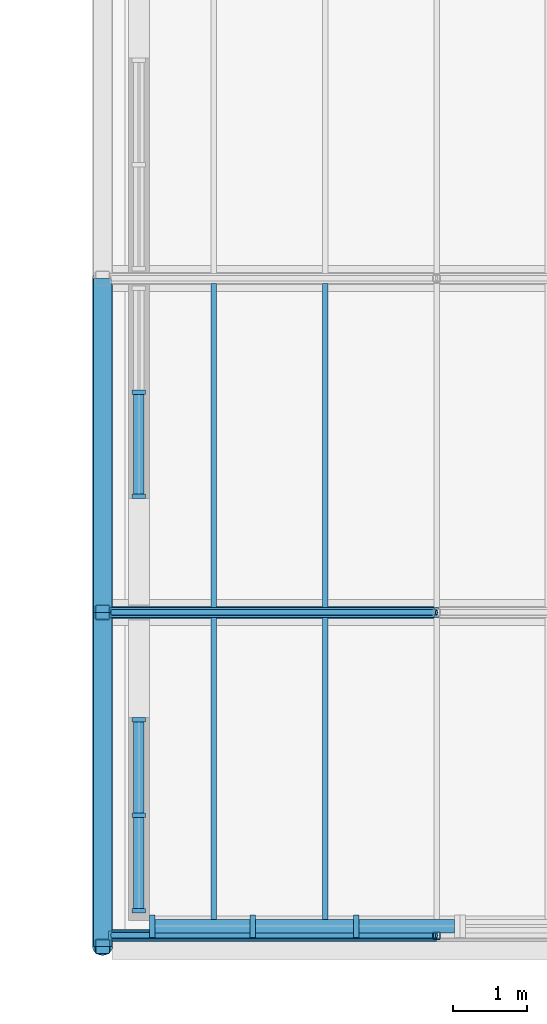
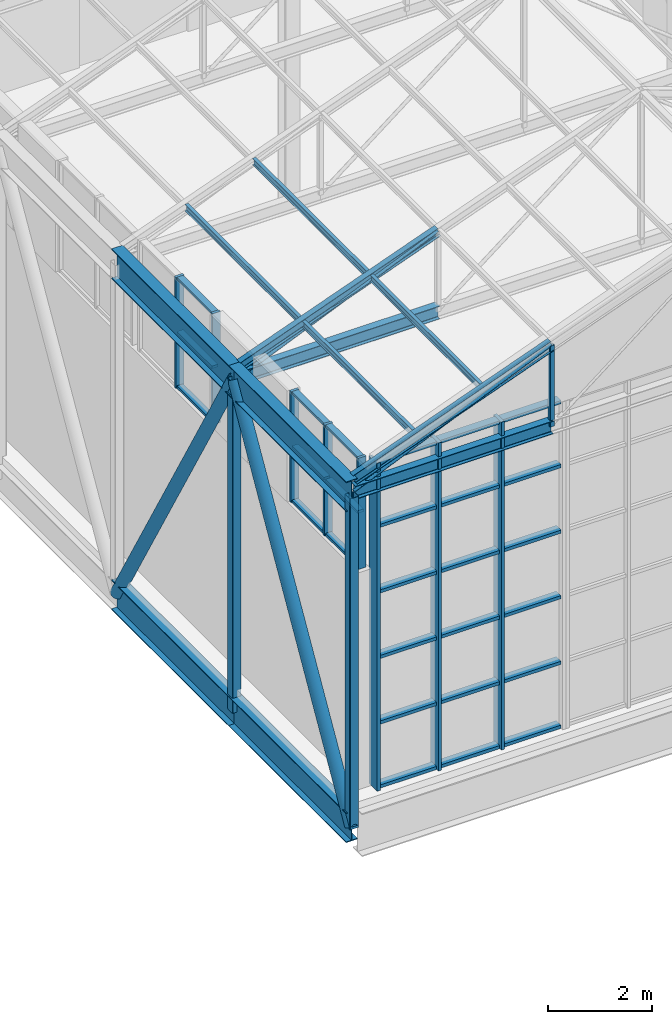
# One storey, part 11 of 90: 54 members, 3 elements without a shape of their own.
"""IFC4 building model written with IfcOpenShell, lengths in metres."""

import ifcopenshell
import ifcopenshell.guid

model = None  # the IFC model being written
_history = None  # IfcOwnerHistory: only IFC2X3 demands one
_inside = {}  # id of a spatial element -> (the spatial element, [elements in it])
_under = {}  # id of a project, library or spatial element -> (it, [spatial elements below it])
_declared = {}  # id of a project -> (the project, [libraries it declares])
_typed = {}  # id of a type object -> (the type object, [elements of that type])
_made_of = {}  # id of a material, layer set ... -> (it, [elements and type objects made of it])


def new_model(schema):
    """Start an empty IFC model of exactly this schema.

    Asked for "IFC4X3", IfcOpenShell would pick the latest addendum, in which some entities
    have other attributes; the version numbers below select the first issue.
    IFC2X3 requires an IfcOwnerHistory on every rooted entity: one is made here for all.
    """
    global model, _history
    if schema == "IFC4X3":
        model = ifcopenshell.file(schema_version=(4, 3, 0, 0))
    else:
        model = ifcopenshell.file(schema=schema)
    _inside.clear()
    _under.clear()
    _declared.clear()
    _typed.clear()
    _made_of.clear()
    _history = None
    if model.schema == "IFC2X3":
        org = make("IfcOrganization", Name="unknown")
        user = make(
            "IfcPersonAndOrganization",
            ThePerson=make("IfcPerson", FamilyName="unknown"),
            TheOrganization=org,
        )
        app = make(
            "IfcApplication",
            ApplicationDeveloper=org,
            Version="unknown",
            ApplicationFullName="unknown",
            ApplicationIdentifier="unknown",
        )
        _history = make(
            "IfcOwnerHistory",
            OwningUser=user,
            OwningApplication=app,
            ChangeAction="ADDED",
            CreationDate=0,
        )
    return model


def make(cls, **values):
    """One entity of the class cls with the attributes given. An attribute that is None is left unset."""
    return model.create_entity(
        cls, **{name: value for name, value in values.items() if value is not None}
    )


def rooted(cls, **values):
    """An entity with a GlobalId (a new one), such as an element, a storey or a relation."""
    return make(cls, GlobalId=ifcopenshell.guid.new(), OwnerHistory=_history, **values)


def si_unit(unit_type, name, prefix=None):
    """IfcSIUnit, for example si_unit("LENGTHUNIT", "METRE", prefix="MILLI")."""
    return make("IfcSIUnit", UnitType=unit_type, Prefix=prefix, Name=name)


def assignment(units):
    """IfcUnitAssignment: the units of a project."""
    return None if units is None else make("IfcUnitAssignment", Units=units)


def point(xyz):
    """IfcCartesianPoint."""
    return None if xyz is None else make("IfcCartesianPoint", Coordinates=xyz)


def direction(xyz):
    """IfcDirection."""
    return None if xyz is None else make("IfcDirection", DirectionRatios=xyz)


def frame(location, z_axis=None, x_axis=None):
    """IfcAxis2Placement3D, a coordinate frame: its origin and axes. An axis left out is left unset."""
    return make(
        "IfcAxis2Placement3D",
        Location=point(location),
        Axis=direction(z_axis),
        RefDirection=direction(x_axis),
    )


def frame_2d(location, x_axis=None):
    """IfcAxis2Placement2D, a coordinate frame in the plane: its origin and x axis."""
    return make(
        "IfcAxis2Placement2D", Location=point(location), RefDirection=direction(x_axis)
    )


def origin():
    """The frame at (0, 0, 0) with its axes left unset."""
    return frame((0.0, 0.0, 0.0))


def origin_2d():
    """The frame at (0, 0) in the plane with its x axis left unset."""
    return frame_2d((0.0, 0.0))


def place(relative_to, where):
    """IfcLocalPlacement: puts the frame where relative to a parent placement (None: the world)."""
    return make(
        "IfcLocalPlacement", PlacementRelTo=relative_to, RelativePlacement=where
    )


def context(
    kind, dimensions, precision=None, world=None, true_north=None, identifier=None
):
    """IfcGeometricRepresentationContext, for example the 3D "Model" context."""
    return make(
        "IfcGeometricRepresentationContext",
        ContextIdentifier=identifier,
        ContextType=kind,
        CoordinateSpaceDimension=dimensions,
        Precision=precision,
        WorldCoordinateSystem=world,
        TrueNorth=true_north,
    )


def subcontext(parent, identifier, kind, view, scale=None):
    """IfcGeometricRepresentationSubContext, for example "Body" below "Model"."""
    return make(
        "IfcGeometricRepresentationSubContext",
        ContextIdentifier=identifier,
        ContextType=kind,
        ParentContext=parent,
        TargetScale=scale,
        TargetView=view,
    )


def project(units=None, contexts=None):
    """IfcProject with its units and contexts."""
    return rooted(
        "IfcProject",
        Name="project",
        RepresentationContexts=contexts,
        UnitsInContext=assignment(units),
    )


def spatial(cls, under=None, at=None, **own):
    """A site, building, storey or space (cls), placed at a placement, below another one or the project."""
    s = rooted(cls, ObjectPlacement=at, **own)
    if under is not None:
        _under.setdefault(under.id(), (under, []))[1].append(s)
    return s


def profile(cls, at=None, kind="AREA", **sizes):
    """A parametric profile (cls). Its sizes go by their IFC names, for example OverallWidth=200.0."""
    return make(cls, ProfileType=kind, Position=at, **sizes)


def rectangle(**sizes):
    """IfcRectangleProfileDef."""
    return profile("IfcRectangleProfileDef", **sizes)


def hollow_rectangle(**sizes):
    """IfcRectangleHollowProfileDef."""
    return profile("IfcRectangleHollowProfileDef", **sizes)


def hollow_circle(**sizes):
    """IfcCircleHollowProfileDef."""
    return profile("IfcCircleHollowProfileDef", **sizes)


def i_section(**sizes):
    """IfcIShapeProfileDef."""
    return profile("IfcIShapeProfileDef", **sizes)


def extrude(swept, where, along, depth):
    """IfcExtrudedAreaSolid: the profile swept, set in the frame where, extruded along a direction by depth."""
    return make(
        "IfcExtrudedAreaSolid",
        SweptArea=swept,
        Position=where,
        ExtrudedDirection=direction(along),
        Depth=depth,
    )


def shape(context_of_items, identifier, shape_type, items):
    """IfcShapeRepresentation: the items that make up one representation, for example the "Body"."""
    return make(
        "IfcShapeRepresentation",
        ContextOfItems=context_of_items,
        RepresentationIdentifier=identifier,
        RepresentationType=shape_type,
        Items=items,
    )


def material(Name=None, Category=None):
    """IfcMaterial."""
    return make("IfcMaterial", Name=Name, Category=Category)


def layer(
    of_material, thickness, ventilated=None, Name=None, Category=None, Priority=None
):
    """IfcMaterialLayer: one layer of a wall or slab, of a material (None: an air gap)."""
    return make(
        "IfcMaterialLayer",
        Material=of_material,
        LayerThickness=thickness,
        IsVentilated=ventilated,
        Name=Name,
        Category=Category,
        Priority=Priority,
    )


def layer_set(layers, Name=None):
    """IfcMaterialLayerSet."""
    return make("IfcMaterialLayerSet", MaterialLayers=layers, LayerSetName=Name)


def material_profile(
    of_material, cross_section, Name=None, Category=None, Priority=None
):
    """IfcMaterialProfile: a cross section and its material."""
    return make(
        "IfcMaterialProfile",
        Name=Name,
        Material=of_material,
        Profile=cross_section,
        Priority=Priority,
        Category=Category,
    )


def profile_set(profiles, Name=None, composite=None):
    """IfcMaterialProfileSet."""
    return make(
        "IfcMaterialProfileSet",
        Name=Name,
        MaterialProfiles=profiles,
        CompositeProfile=composite,
    )


def made_of(thing, what):
    """Note that an element or type object is made of a material, layer set ...; save() writes the relation."""
    if what is not None:
        _made_of.setdefault(what.id(), (what, []))[1].append(thing)
    return thing


def type_object(cls, material=None, **own):
    """A type object (cls), such as IfcWallType, which elements share."""
    return made_of(rooted(cls, **own), material)


def element(
    cls,
    number,
    at=None,
    inside=None,
    cuts=None,
    type_object=None,
    material=None,
    context=None,
    identifier="Body",
    shape_type=None,
    held_by="IfcProductDefinitionShape",
    body=None,
    shapes=None,
    **own,
):
    """One element of the class cls, such as IfcWall. Its Tag is "e" and its number.

    at: its placement. inside: the storey or other place that contains it. cuts: it is an
    opening in that element (IfcRelVoidsElement). A single representation is given by context,
    identifier, shape_type and body (its items); several are given by shapes. held_by: the class
    of the entity that holds the representations. save() writes the other relations.
    """
    e = rooted(cls, Tag="e%d" % number, ObjectPlacement=at, **own)
    if body is not None:
        shapes = [shape(context, identifier, shape_type, body)]
    if shapes is not None:
        e.Representation = make(held_by, Representations=shapes)
    if inside is not None:
        _inside.setdefault(inside.id(), (inside, []))[1].append(e)
    if cuts is not None:
        rooted(
            "IfcRelVoidsElement", RelatingBuildingElement=cuts, RelatedOpeningElement=e
        )
    if type_object is not None:
        _typed.setdefault(type_object.id(), (type_object, []))[1].append(e)
    return made_of(e, material)


def aggregate(whole, parts):
    """IfcRelAggregates: a whole, such as a stair, and the parts it consists of."""
    return rooted("IfcRelAggregates", RelatingObject=whole, RelatedObjects=parts)


def save(model, path):
    """Write the relations noted so far, then the file.

    IfcRelAggregates (storeys below a building ...), IfcRelContainedInSpatialStructure (elements
    in a storey), IfcRelDefinesByType, IfcRelAssociatesMaterial and IfcRelDeclares: one each for
    every whole, place, type object, material and project.
    """
    for whole, parts in _under.values():
        aggregate(whole, parts)
    for where, things in _inside.values():
        rooted(
            "IfcRelContainedInSpatialStructure",
            RelatedElements=things,
            RelatingStructure=where,
        )
    for kind, things in _typed.values():
        rooted("IfcRelDefinesByType", RelatedObjects=things, RelatingType=kind)
    for what, things in _made_of.values():
        rooted("IfcRelAssociatesMaterial", RelatedObjects=things, RelatingMaterial=what)
    for by, libraries in _declared.values():
        rooted("IfcRelDeclares", RelatingContext=by, RelatedDefinitions=libraries)
    model.write(path)


model = new_model("IFC4")

# Units and contexts
model_context = context("Model", 3, precision=1e-05, world=origin(), true_north=direction((0.0, 1.0)))
body_context = subcontext(model_context, "Body", "Model", "MODEL_VIEW")
ifc_project = project(units=[si_unit("LENGTHUNIT", "METRE"), si_unit("AREAUNIT", "SQUARE_METRE"), si_unit("VOLUMEUNIT", "CUBIC_METRE"), si_unit("PLANEANGLEUNIT", "RADIAN"), si_unit("MASSUNIT", "GRAM", prefix="KILO")], contexts=[model_context])

# Site, building, storey
site_placement = place(None, origin())
site = spatial("IfcSite", under=ifc_project, at=site_placement, CompositionType="ELEMENT")
building_placement = place(site_placement, origin())
building = spatial("IfcBuilding", under=site, at=building_placement, Name="Halyard Row Museum", CompositionType="ELEMENT")
storey_placement = place(building_placement, frame((0.0, 0.0, 13.39990234375)))
storey = spatial("IfcBuildingStorey", under=building, at=storey_placement, Name="L03", CompositionType="ELEMENT", Elevation=13.39990234375)

# Curtain wall, members
ifc_material_1 = material(Name="Double glazed unit, low-emissivity", Category="glass")
ifc_layer_1 = layer(ifc_material_1, 0.179931640625)
ifc_layer_set_1 = layer_set([ifc_layer_1], Name="Double glazed unit, low-emissivity")
curtain_wall_type_1 = type_object("IfcCurtainWallType", Name="Curtain wall stick 180 deep", PredefinedType="NOTDEFINED", material=ifc_layer_set_1)
curtain_wall_1_placement = place(storey_placement, origin())
curtain_wall_1 = element("IfcCurtainWall", 1, at=curtain_wall_1_placement, inside=storey, type_object=curtain_wall_type_1, Name="Curtain wall CW067", PredefinedType="NOTDEFINED")
ifc_material_2 = material(Name="Powder-coated aluminium section", Category="aluminium")
ifc_material_profile_1 = material_profile(ifc_material_2, rectangle(XDim=0.179931640625, YDim=0.06005859375, at=origin_2d()), Name="180x60 mullion")
ifc_profile_set_1 = profile_set([ifc_material_profile_1], Name="Powder-coated aluminium section")
member_type_1 = type_object("IfcMemberType", Name="Curtain wall mullion CM2 60 x 180", PredefinedType="MULLION", material=ifc_profile_set_1)
member_1_placement = place(storey_placement, frame((36.489990234375, 0.47998046875, 5.07275390625), z_axis=(0.0, 0.0, 1.0), x_axis=(-1.0, 0.0, 0.0)))
member_1 = element("IfcMember", 2, at=member_1_placement, type_object=member_type_1, Name="CW067 mullion 1", PredefinedType="MULLION", context=body_context, shape_type="SweptSolid", body=[
    extrude(rectangle(XDim=0.179931640625, YDim=0.06005859375, at=origin_2d()), origin(), (0.0, 0.0, 1.0), 2.60009765625),
])
member_2_placement = place(storey_placement, frame((36.489990234375, 1.7666015625, 5.07275390625), z_axis=(0.0, 0.0, 1.0), x_axis=(-1.0, 0.0, 0.0)))
member_2 = element("IfcMember", 3, at=member_2_placement, type_object=member_type_1, Name="CW067 mullion 2", PredefinedType="MULLION", context=body_context, shape_type="SweptSolid", body=[
    extrude(rectangle(XDim=0.179931640625, YDim=0.06005859375, at=origin_2d()), origin(), (0.0, 0.0, 1.0), 2.60009765625),
])
member_3_placement = place(storey_placement, frame((36.489990234375, 3.05322265625, 5.07275390625), z_axis=(0.0, 0.0, 1.0), x_axis=(-1.0, 0.0, 0.0)))
member_3 = element("IfcMember", 4, at=member_3_placement, type_object=member_type_1, Name="CW067 mullion 3", PredefinedType="MULLION", context=body_context, shape_type="SweptSolid", body=[
    extrude(rectangle(XDim=0.179931640625, YDim=0.06005859375, at=origin_2d()), origin(), (0.0, 0.0, 1.0), 2.60009765625),
])

curtain_wall_2_placement = place(storey_placement, origin())
curtain_wall_2 = element("IfcCurtainWall", 5, at=curtain_wall_2_placement, inside=storey, type_object=curtain_wall_type_1, Name="Curtain wall CW068", PredefinedType="NOTDEFINED")
member_4_placement = place(storey_placement, frame((36.489990234375, 6.063232421875, 5.07275390625), z_axis=(0.0, 0.0, 1.0), x_axis=(-1.0, 0.0, 0.0)))
member_4 = element("IfcMember", 6, at=member_4_placement, type_object=member_type_1, Name="CW068 mullion 1", PredefinedType="MULLION", context=body_context, shape_type="SweptSolid", body=[
    extrude(rectangle(XDim=0.179931640625, YDim=0.06005859375, at=origin_2d()), origin(), (0.0, 0.0, 1.0), 2.60009765625),
])
member_5_placement = place(storey_placement, frame((36.489990234375, 7.466552734375, 5.07275390625), z_axis=(0.0, 0.0, 1.0), x_axis=(-1.0, 0.0, 0.0)))
member_5 = element("IfcMember", 7, at=member_5_placement, type_object=member_type_1, Name="CW068 mullion 2", PredefinedType="MULLION", context=body_context, shape_type="SweptSolid", body=[
    extrude(rectangle(XDim=0.179931640625, YDim=0.06005859375, at=origin_2d()), origin(), (0.0, 0.0, 1.0), 2.60009765625),
])

ifc_material_3 = material(Name="Double glazed unit, low-emissivity", Category="glass")
ifc_layer_2 = layer(ifc_material_3, 0.300048828125)
ifc_layer_set_2 = layer_set([ifc_layer_2], Name="Double glazed unit, low-emissivity")
curtain_wall_type_2 = type_object("IfcCurtainWallType", Name="Curtain wall deep-framed 300 deep", PredefinedType="NOTDEFINED", material=ifc_layer_set_2)
curtain_wall_3_placement = place(storey_placement, origin())
curtain_wall_3 = element("IfcCurtainWall", 8, at=curtain_wall_3_placement, inside=storey, type_object=curtain_wall_type_2, Name="Curtain wall CW063", PredefinedType="NOTDEFINED")
ifc_material_4 = material(Name="Powder-coated aluminium section", Category="aluminium")
ifc_material_profile_2 = material_profile(ifc_material_4, rectangle(XDim=0.300048828125, YDim=0.074951171875, at=origin_2d()), Name="300x75 mullion")
ifc_profile_set_2 = profile_set([ifc_material_profile_2], Name="Powder-coated aluminium section")
member_type_2 = type_object("IfcMemberType", Name="Curtain wall mullion CM6 75 x 300", PredefinedType="MULLION", material=ifc_profile_set_2)
member_6_placement = place(storey_placement, frame((36.66748046875, 0.27490234375, 0.0), z_axis=(0.0, 0.0, 1.0), x_axis=(0.0, 1.0, 0.0)))
member_6 = element("IfcMember", 9, at=member_6_placement, type_object=member_type_2, Name="CW063 mullion 1", PredefinedType="MULLION", context=body_context, shape_type="SweptSolid", body=[
    extrude(rectangle(XDim=0.300048828125, YDim=0.074951171875, at=origin_2d()), origin(), (0.0, 0.0, 1.0), 7.6728515625),
])
member_7_placement = place(storey_placement, frame((38.02490234375, 0.27490234375, 0.0), z_axis=(0.0, 0.0, 1.0), x_axis=(0.0, 1.0, 0.0)))
member_7 = element("IfcMember", 10, at=member_7_placement, type_object=member_type_2, Name="CW063 mullion 2", PredefinedType="MULLION", context=body_context, shape_type="SweptSolid", body=[
    extrude(rectangle(XDim=0.300048828125, YDim=0.074951171875, at=origin_2d()), origin(), (0.0, 0.0, 1.0), 7.6728515625),
])
member_8_placement = place(storey_placement, frame((39.419921875, 0.27490234375, 0.0), z_axis=(0.0, 0.0, 1.0), x_axis=(0.0, 1.0, 0.0)))
member_8 = element("IfcMember", 11, at=member_8_placement, type_object=member_type_2, Name="CW063 mullion 3", PredefinedType="MULLION", context=body_context, shape_type="SweptSolid", body=[
    extrude(rectangle(XDim=0.300048828125, YDim=0.074951171875, at=origin_2d()), origin(), (0.0, 0.0, 1.0), 7.6728515625),
])

# Member
ifc_material_5 = material(Name="Powder-coated aluminium section", Category="aluminium")
ifc_material_profile_3 = material_profile(ifc_material_5, rectangle(XDim=0.139892578125, YDim=0.06005859375, at=origin_2d()), Name="140x60 transom")
ifc_profile_set_3 = profile_set([ifc_material_profile_3], Name="Powder-coated aluminium section")
member_type_3 = type_object("IfcMemberType", Name="Curtain wall transom CT2 60 x 140", PredefinedType="USERDEFINED", material=ifc_profile_set_3)
member_9_placement = place(storey_placement, frame((36.489990234375, 0.510009765625, 5.102783203125), z_axis=(0.0, 1.0, 0.0), x_axis=(-1.0, 0.0, 0.0)))
member_9 = element("IfcMember", 12, at=member_9_placement, type_object=member_type_3, Name="CW067 transom 1.1", ObjectType="TRANSOM", PredefinedType="USERDEFINED", context=body_context, shape_type="SweptSolid", body=[
    extrude(rectangle(XDim=0.139892578125, YDim=0.06005859375, at=origin_2d()), origin(), (0.0, 0.0, 1.0), 1.2265625),
])

member_10_placement = place(storey_placement, frame((36.489990234375, 0.510009765625, 6.372802734375), z_axis=(0.0, 1.0, 0.0), x_axis=(-1.0, 0.0, 0.0)))
member_10 = element("IfcMember", 13, at=member_10_placement, type_object=member_type_3, Name="CW067 transom 1.2", ObjectType="TRANSOM", PredefinedType="USERDEFINED", context=body_context, shape_type="SweptSolid", body=[
    extrude(rectangle(XDim=0.139892578125, YDim=0.06005859375, at=origin_2d()), origin(), (0.0, 0.0, 1.0), 1.2265625),
])

member_11_placement = place(storey_placement, frame((36.489990234375, 0.510009765625, 7.642822265625), z_axis=(0.0, 1.0, 0.0), x_axis=(-1.0, 0.0, 0.0)))
member_11 = element("IfcMember", 14, at=member_11_placement, type_object=member_type_3, Name="CW067 transom 1.3", ObjectType="TRANSOM", PredefinedType="USERDEFINED", context=body_context, shape_type="SweptSolid", body=[
    extrude(rectangle(XDim=0.139892578125, YDim=0.06005859375, at=origin_2d()), origin(), (0.0, 0.0, 1.0), 1.2265625),
])

member_12_placement = place(storey_placement, frame((36.489990234375, 1.796630859375, 5.102783203125), z_axis=(0.0, 1.0, 0.0), x_axis=(-1.0, 0.0, 0.0)))
member_12 = element("IfcMember", 15, at=member_12_placement, type_object=member_type_3, Name="CW067 transom 2.1", ObjectType="TRANSOM", PredefinedType="USERDEFINED", context=body_context, shape_type="SweptSolid", body=[
    extrude(rectangle(XDim=0.139892578125, YDim=0.06005859375, at=origin_2d()), origin(), (0.0, 0.0, 1.0), 1.226806640625),
])

member_13_placement = place(storey_placement, frame((36.489990234375, 1.796630859375, 6.372802734375), z_axis=(0.0, 1.0, 0.0), x_axis=(-1.0, 0.0, 0.0)))
member_13 = element("IfcMember", 16, at=member_13_placement, type_object=member_type_3, Name="CW067 transom 2.2", ObjectType="TRANSOM", PredefinedType="USERDEFINED", context=body_context, shape_type="SweptSolid", body=[
    extrude(rectangle(XDim=0.139892578125, YDim=0.06005859375, at=origin_2d()), origin(), (0.0, 0.0, 1.0), 1.226806640625),
])

member_14_placement = place(storey_placement, frame((36.489990234375, 1.796630859375, 7.642822265625), z_axis=(0.0, 1.0, 0.0), x_axis=(-1.0, 0.0, 0.0)))
member_14 = element("IfcMember", 17, at=member_14_placement, type_object=member_type_3, Name="CW067 transom 2.3", ObjectType="TRANSOM", PredefinedType="USERDEFINED", context=body_context, shape_type="SweptSolid", body=[
    extrude(rectangle(XDim=0.139892578125, YDim=0.06005859375, at=origin_2d()), origin(), (0.0, 0.0, 1.0), 1.226806640625),
])

aggregate(curtain_wall_1, [member_1, member_2, member_3, member_9, member_10, member_11, member_12, member_13, member_14])

member_15_placement = place(storey_placement, frame((36.489990234375, 6.09326171875, 5.102783203125), z_axis=(0.0, 1.0, 0.0), x_axis=(-1.0, 0.0, 0.0)))
member_15 = element("IfcMember", 18, at=member_15_placement, type_object=member_type_3, Name="CW068 transom 1.1", ObjectType="TRANSOM", PredefinedType="USERDEFINED", context=body_context, shape_type="SweptSolid", body=[
    extrude(rectangle(XDim=0.139892578125, YDim=0.06005859375, at=origin_2d()), origin(), (0.0, 0.0, 1.0), 1.343505859375),
])

member_16_placement = place(storey_placement, frame((36.489990234375, 6.09326171875, 6.372802734375), z_axis=(0.0, 1.0, 0.0), x_axis=(-1.0, 0.0, 0.0)))
member_16 = element("IfcMember", 19, at=member_16_placement, type_object=member_type_3, Name="CW068 transom 1.2", ObjectType="TRANSOM", PredefinedType="USERDEFINED", context=body_context, shape_type="SweptSolid", body=[
    extrude(rectangle(XDim=0.139892578125, YDim=0.06005859375, at=origin_2d()), origin(), (0.0, 0.0, 1.0), 1.343505859375),
])

member_17_placement = place(storey_placement, frame((36.489990234375, 6.09326171875, 7.642822265625), z_axis=(0.0, 1.0, 0.0), x_axis=(-1.0, 0.0, 0.0)))
member_17 = element("IfcMember", 20, at=member_17_placement, type_object=member_type_3, Name="CW068 transom 1.3", ObjectType="TRANSOM", PredefinedType="USERDEFINED", context=body_context, shape_type="SweptSolid", body=[
    extrude(rectangle(XDim=0.139892578125, YDim=0.06005859375, at=origin_2d()), origin(), (0.0, 0.0, 1.0), 1.343505859375),
])

aggregate(curtain_wall_2, [member_4, member_5, member_15, member_16, member_17])

ifc_material_6 = material(Name="Powder-coated aluminium section", Category="aluminium")
ifc_material_profile_4 = material_profile(ifc_material_6, rectangle(XDim=0.179931640625, YDim=0.074951171875, at=origin_2d()), Name="180x75 transom")
ifc_profile_set_4 = profile_set([ifc_material_profile_4], Name="Powder-coated aluminium section")
member_type_4 = type_object("IfcMemberType", Name="Curtain wall transom CT6 75 x 180", PredefinedType="USERDEFINED", material=ifc_profile_set_4)
member_18_placement = place(storey_placement, frame((36.705078125, 0.27490234375, 0.03759765625), z_axis=(1.0, 0.0, 0.0), x_axis=(0.0, 1.0, 0.0)))
member_18 = element("IfcMember", 21, at=member_18_placement, type_object=member_type_4, Name="CW063 transom 1.1", ObjectType="TRANSOM", PredefinedType="USERDEFINED", context=body_context, shape_type="SweptSolid", body=[
    extrude(rectangle(XDim=0.179931640625, YDim=0.074951171875, at=origin_2d()), origin(), (0.0, 0.0, 1.0), 1.282470703125),
])

member_19_placement = place(storey_placement, frame((36.705078125, 0.27490234375, 1.53466796875), z_axis=(1.0, 0.0, 0.0), x_axis=(0.0, 1.0, 0.0)))
member_19 = element("IfcMember", 22, at=member_19_placement, type_object=member_type_4, Name="CW063 transom 1.2", ObjectType="TRANSOM", PredefinedType="USERDEFINED", context=body_context, shape_type="SweptSolid", body=[
    extrude(rectangle(XDim=0.179931640625, YDim=0.074951171875, at=origin_2d()), origin(), (0.0, 0.0, 1.0), 1.282470703125),
])

member_20_placement = place(storey_placement, frame((36.705078125, 0.27490234375, 3.069091796875), z_axis=(1.0, 0.0, 0.0), x_axis=(0.0, 1.0, 0.0)))
member_20 = element("IfcMember", 23, at=member_20_placement, type_object=member_type_4, Name="CW063 transom 1.3", ObjectType="TRANSOM", PredefinedType="USERDEFINED", context=body_context, shape_type="SweptSolid", body=[
    extrude(rectangle(XDim=0.179931640625, YDim=0.074951171875, at=origin_2d()), origin(), (0.0, 0.0, 1.0), 1.282470703125),
])

member_21_placement = place(storey_placement, frame((36.705078125, 0.27490234375, 4.603759765625), z_axis=(1.0, 0.0, 0.0), x_axis=(0.0, 1.0, 0.0)))
member_21 = element("IfcMember", 24, at=member_21_placement, type_object=member_type_4, Name="CW063 transom 1.4", ObjectType="TRANSOM", PredefinedType="USERDEFINED", context=body_context, shape_type="SweptSolid", body=[
    extrude(rectangle(XDim=0.179931640625, YDim=0.074951171875, at=origin_2d()), origin(), (0.0, 0.0, 1.0), 1.282470703125),
])

member_22_placement = place(storey_placement, frame((36.705078125, 0.27490234375, 6.13818359375), z_axis=(1.0, 0.0, 0.0), x_axis=(0.0, 1.0, 0.0)))
member_22 = element("IfcMember", 25, at=member_22_placement, type_object=member_type_4, Name="CW063 transom 1.5", ObjectType="TRANSOM", PredefinedType="USERDEFINED", context=body_context, shape_type="SweptSolid", body=[
    extrude(rectangle(XDim=0.179931640625, YDim=0.074951171875, at=origin_2d()), origin(), (0.0, 0.0, 1.0), 1.282470703125),
])

member_23_placement = place(storey_placement, frame((36.705078125, 0.27490234375, 7.63525390625), z_axis=(1.0, 0.0, 0.0), x_axis=(0.0, 1.0, 0.0)))
member_23 = element("IfcMember", 26, at=member_23_placement, type_object=member_type_4, Name="CW063 transom 1.6", ObjectType="TRANSOM", PredefinedType="USERDEFINED", context=body_context, shape_type="SweptSolid", body=[
    extrude(rectangle(XDim=0.179931640625, YDim=0.074951171875, at=origin_2d()), origin(), (0.0, 0.0, 1.0), 1.282470703125),
])

member_24_placement = place(storey_placement, frame((38.0625, 0.27490234375, 0.03759765625), z_axis=(1.0, 0.0, 0.0), x_axis=(0.0, 1.0, 0.0)))
member_24 = element("IfcMember", 27, at=member_24_placement, type_object=member_type_4, Name="CW063 transom 2.1", ObjectType="TRANSOM", PredefinedType="USERDEFINED", context=body_context, shape_type="SweptSolid", body=[
    extrude(rectangle(XDim=0.179931640625, YDim=0.074951171875, at=origin_2d()), origin(), (0.0, 0.0, 1.0), 1.320068359375),
])

member_25_placement = place(storey_placement, frame((38.0625, 0.27490234375, 1.53466796875), z_axis=(1.0, 0.0, 0.0), x_axis=(0.0, 1.0, 0.0)))
member_25 = element("IfcMember", 28, at=member_25_placement, type_object=member_type_4, Name="CW063 transom 2.2", ObjectType="TRANSOM", PredefinedType="USERDEFINED", context=body_context, shape_type="SweptSolid", body=[
    extrude(rectangle(XDim=0.179931640625, YDim=0.074951171875, at=origin_2d()), origin(), (0.0, 0.0, 1.0), 1.320068359375),
])

member_26_placement = place(storey_placement, frame((38.0625, 0.27490234375, 3.069091796875), z_axis=(1.0, 0.0, 0.0), x_axis=(0.0, 1.0, 0.0)))
member_26 = element("IfcMember", 29, at=member_26_placement, type_object=member_type_4, Name="CW063 transom 2.3", ObjectType="TRANSOM", PredefinedType="USERDEFINED", context=body_context, shape_type="SweptSolid", body=[
    extrude(rectangle(XDim=0.179931640625, YDim=0.074951171875, at=origin_2d()), origin(), (0.0, 0.0, 1.0), 1.320068359375),
])

member_27_placement = place(storey_placement, frame((38.0625, 0.27490234375, 4.603759765625), z_axis=(1.0, 0.0, 0.0), x_axis=(0.0, 1.0, 0.0)))
member_27 = element("IfcMember", 30, at=member_27_placement, type_object=member_type_4, Name="CW063 transom 2.4", ObjectType="TRANSOM", PredefinedType="USERDEFINED", context=body_context, shape_type="SweptSolid", body=[
    extrude(rectangle(XDim=0.179931640625, YDim=0.074951171875, at=origin_2d()), origin(), (0.0, 0.0, 1.0), 1.320068359375),
])

member_28_placement = place(storey_placement, frame((38.0625, 0.27490234375, 6.13818359375), z_axis=(1.0, 0.0, 0.0), x_axis=(0.0, 1.0, 0.0)))
member_28 = element("IfcMember", 31, at=member_28_placement, type_object=member_type_4, Name="CW063 transom 2.5", ObjectType="TRANSOM", PredefinedType="USERDEFINED", context=body_context, shape_type="SweptSolid", body=[
    extrude(rectangle(XDim=0.179931640625, YDim=0.074951171875, at=origin_2d()), origin(), (0.0, 0.0, 1.0), 1.320068359375),
])

member_29_placement = place(storey_placement, frame((38.0625, 0.27490234375, 7.63525390625), z_axis=(1.0, 0.0, 0.0), x_axis=(0.0, 1.0, 0.0)))
member_29 = element("IfcMember", 32, at=member_29_placement, type_object=member_type_4, Name="CW063 transom 2.6", ObjectType="TRANSOM", PredefinedType="USERDEFINED", context=body_context, shape_type="SweptSolid", body=[
    extrude(rectangle(XDim=0.179931640625, YDim=0.074951171875, at=origin_2d()), origin(), (0.0, 0.0, 1.0), 1.320068359375),
])

member_30_placement = place(storey_placement, frame((39.45751953125, 0.27490234375, 0.03759765625), z_axis=(1.0, 0.0, 0.0), x_axis=(0.0, 1.0, 0.0)))
member_30 = element("IfcMember", 33, at=member_30_placement, type_object=member_type_4, Name="CW063 transom 3.1", ObjectType="TRANSOM", PredefinedType="USERDEFINED", context=body_context, shape_type="SweptSolid", body=[
    extrude(rectangle(XDim=0.179931640625, YDim=0.074951171875, at=origin_2d()), origin(), (0.0, 0.0, 1.0), 1.282470703125),
])

member_31_placement = place(storey_placement, frame((39.45751953125, 0.27490234375, 1.53466796875), z_axis=(1.0, 0.0, 0.0), x_axis=(0.0, 1.0, 0.0)))
member_31 = element("IfcMember", 34, at=member_31_placement, type_object=member_type_4, Name="CW063 transom 3.2", ObjectType="TRANSOM", PredefinedType="USERDEFINED", context=body_context, shape_type="SweptSolid", body=[
    extrude(rectangle(XDim=0.179931640625, YDim=0.074951171875, at=origin_2d()), origin(), (0.0, 0.0, 1.0), 1.282470703125),
])

member_32_placement = place(storey_placement, frame((39.45751953125, 0.27490234375, 3.069091796875), z_axis=(1.0, 0.0, 0.0), x_axis=(0.0, 1.0, 0.0)))
member_32 = element("IfcMember", 35, at=member_32_placement, type_object=member_type_4, Name="CW063 transom 3.3", ObjectType="TRANSOM", PredefinedType="USERDEFINED", context=body_context, shape_type="SweptSolid", body=[
    extrude(rectangle(XDim=0.179931640625, YDim=0.074951171875, at=origin_2d()), origin(), (0.0, 0.0, 1.0), 1.282470703125),
])

member_33_placement = place(storey_placement, frame((39.45751953125, 0.27490234375, 4.603759765625), z_axis=(1.0, 0.0, 0.0), x_axis=(0.0, 1.0, 0.0)))
member_33 = element("IfcMember", 36, at=member_33_placement, type_object=member_type_4, Name="CW063 transom 3.4", ObjectType="TRANSOM", PredefinedType="USERDEFINED", context=body_context, shape_type="SweptSolid", body=[
    extrude(rectangle(XDim=0.179931640625, YDim=0.074951171875, at=origin_2d()), origin(), (0.0, 0.0, 1.0), 1.282470703125),
])

member_34_placement = place(storey_placement, frame((39.45751953125, 0.27490234375, 6.13818359375), z_axis=(1.0, 0.0, 0.0), x_axis=(0.0, 1.0, 0.0)))
member_34 = element("IfcMember", 37, at=member_34_placement, type_object=member_type_4, Name="CW063 transom 3.5", ObjectType="TRANSOM", PredefinedType="USERDEFINED", context=body_context, shape_type="SweptSolid", body=[
    extrude(rectangle(XDim=0.179931640625, YDim=0.074951171875, at=origin_2d()), origin(), (0.0, 0.0, 1.0), 1.282470703125),
])

member_35_placement = place(storey_placement, frame((39.45751953125, 0.27490234375, 7.63525390625), z_axis=(1.0, 0.0, 0.0), x_axis=(0.0, 1.0, 0.0)))
member_35 = element("IfcMember", 38, at=member_35_placement, type_object=member_type_4, Name="CW063 transom 3.6", ObjectType="TRANSOM", PredefinedType="USERDEFINED", context=body_context, shape_type="SweptSolid", body=[
    extrude(rectangle(XDim=0.179931640625, YDim=0.074951171875, at=origin_2d()), origin(), (0.0, 0.0, 1.0), 1.282470703125),
])

aggregate(curtain_wall_3, [member_6, member_7, member_8, member_18, member_19, member_20, member_21, member_22, member_23, member_24, member_25, member_26, member_27, member_28, member_29, member_30, member_31, member_32, member_33, member_34, member_35])

# Members
ifc_material_7 = material(Name="Steel Grade 300", Category="steel")
ifc_material_profile_5 = material_profile(ifc_material_7, i_section(OverallWidth=0.074951171875, OverallDepth=0.155029296875, WebThickness=0.006103515625, FlangeThickness=0.009521484375, FilletRadius=0.008056640625, at=origin_2d()), Name="150UB18.0")
ifc_profile_set_5 = profile_set([ifc_material_profile_5], Name="Steel Grade 300")
member_type_5 = type_object("IfcMemberType", Name="Purlin 150UB18.0", PredefinedType="PURLIN", material=ifc_profile_set_5)
member_36_placement = place(storey_placement, frame((37.5, 0.216552734375, 8.0302734375), z_axis=(0.0, 1.0, 0.0), x_axis=(-1.0, 0.0, 0.0)))
element("IfcMember", 39, at=member_36_placement, inside=storey, type_object=member_type_5, Name="V4 purlin PL1.1", PredefinedType="PURLIN", context=body_context, shape_type="SweptSolid", body=[
    extrude(i_section(OverallWidth=0.074951171875, OverallDepth=0.155029296875, WebThickness=0.006103515625, FlangeThickness=0.009521484375, FilletRadius=0.008056640625, at=origin_2d()), origin(), (0.0, 0.0, 1.0), 4.217041015625),
])
member_37_placement = place(storey_placement, frame((37.5, 4.56640625, 8.0302734375), z_axis=(0.0, 1.0, 0.0), x_axis=(-1.0, 0.0, 0.0)))
element("IfcMember", 40, at=member_37_placement, inside=storey, type_object=member_type_5, Name="V4 purlin PL1.2", PredefinedType="PURLIN", context=body_context, shape_type="SweptSolid", body=[
    extrude(i_section(OverallWidth=0.074951171875, OverallDepth=0.155029296875, WebThickness=0.006103515625, FlangeThickness=0.009521484375, FilletRadius=0.008056640625, at=origin_2d()), origin(), (0.0, 0.0, 1.0), 4.3671875),
])
member_38_placement = place(storey_placement, frame((39.0, 0.216552734375, 8.581787109375), z_axis=(0.0, 1.0, 0.0), x_axis=(-1.0, 0.0, 0.0)))
element("IfcMember", 41, at=member_38_placement, inside=storey, type_object=member_type_5, Name="V4 purlin PL2.1", PredefinedType="PURLIN", context=body_context, shape_type="SweptSolid", body=[
    extrude(i_section(OverallWidth=0.074951171875, OverallDepth=0.155029296875, WebThickness=0.006103515625, FlangeThickness=0.009521484375, FilletRadius=0.008056640625, at=origin_2d()), origin(), (0.0, 0.0, 1.0), 4.217041015625),
])
member_39_placement = place(storey_placement, frame((39.0, 4.56640625, 8.581787109375), z_axis=(0.0, 1.0, 0.0), x_axis=(-1.0, 0.0, 0.0)))
element("IfcMember", 42, at=member_39_placement, inside=storey, type_object=member_type_5, Name="V4 purlin PL2.2", PredefinedType="PURLIN", context=body_context, shape_type="SweptSolid", body=[
    extrude(i_section(OverallWidth=0.074951171875, OverallDepth=0.155029296875, WebThickness=0.006103515625, FlangeThickness=0.009521484375, FilletRadius=0.008056640625, at=origin_2d()), origin(), (0.0, 0.0, 1.0), 4.3671875),
])
ifc_material_8 = material(Name="Steel Grade C250L0", Category="steel")
ifc_material_profile_6 = material_profile(ifc_material_8, hollow_circle(Radius=0.0380859375, WallThickness=0.00439453125, at=origin_2d()), Name="76.1x4.5CHS")
ifc_profile_set_6 = profile_set([ifc_material_profile_6], Name="Steel Grade C250L0")
member_type_6 = type_object("IfcMemberType", Name="Roof truss diagonal 76.1x4.5CHS", PredefinedType="BRACE", material=ifc_profile_set_6)
member_40_placement = place(storey_placement, frame((36.125, 0.14990234375, 7.197998046875), z_axis=(0.917636560923, 0.0, 0.397420611012), x_axis=(0.0, 1.0, 0.0)))
element("IfcMember", 43, at=member_40_placement, inside=storey, type_object=member_type_6, Name="V4RT1 diagonal 1", PredefinedType="BRACE", context=body_context, shape_type="SweptSolid", body=[
    extrude(hollow_circle(Radius=0.0380859375, WallThickness=0.00439453125, at=origin_2d()), origin(), (0.0, 0.0, 1.0), 4.767578125),
])
member_41_placement = place(storey_placement, frame((36.125, 4.5, 7.2490234375), z_axis=(0.91964597722, 0.0, 0.392748362928), x_axis=(0.0, 1.0, 0.0)))
element("IfcMember", 44, at=member_41_placement, inside=storey, type_object=member_type_6, Name="V4RT2 diagonal 1", PredefinedType="BRACE", context=body_context, shape_type="SweptSolid", body=[
    extrude(hollow_circle(Radius=0.0380859375, WallThickness=0.00439453125, at=origin_2d()), origin(), (0.0, 0.0, 1.0), 4.75732421875),
])
ifc_material_9 = material(Name="Steel Grade C350L0", Category="steel")
ifc_material_profile_7 = material_profile(ifc_material_9, hollow_rectangle(XDim=0.10009765625, YDim=0.10009765625, WallThickness=0.006103515625, InnerFilletRadius=0.009033203125, OuterFilletRadius=0.014892578125, at=origin_2d()), Name="100x100x6.0SHS")
ifc_profile_set_7 = profile_set([ifc_material_profile_7], Name="Steel Grade C350L0")
member_type_7 = type_object("IfcMemberType", Name="Roof truss post 100x100x6.0SHS", PredefinedType="POST", material=ifc_profile_set_7)
member_42_placement = place(storey_placement, frame((40.5, 0.14990234375, 7.197998046875), z_axis=(0.0, 0.0, 1.0), x_axis=(1.0, 0.0, 0.0)))
element("IfcMember", 45, at=member_42_placement, inside=storey, type_object=member_type_7, Name="V4RT1 post 1", PredefinedType="POST", context=body_context, shape_type="SweptSolid", body=[
    extrude(hollow_rectangle(XDim=0.10009765625, YDim=0.10009765625, WallThickness=0.006103515625, InnerFilletRadius=0.009033203125, OuterFilletRadius=0.014892578125, at=origin_2d()), origin(), (0.0, 0.0, 1.0), 1.894775390625),
])
ifc_material_10 = material(Name="Steel Grade 300", Category="steel")
ifc_material_profile_8 = material_profile(ifc_material_10, i_section(OverallWidth=0.133056640625, OverallDepth=0.20166015625, WebThickness=0.0048828125, FlangeThickness=0.007080078125, FilletRadius=0.0087890625, at=origin_2d()), Name="200UB22.3")
ifc_profile_set_8 = profile_set([ifc_material_profile_8], Name="Steel Grade 300")
member_type_8 = type_object("IfcMemberType", Name="Roof truss rafter 200UB22.3 rafter", PredefinedType="RAFTER", material=ifc_profile_set_8)
member_43_placement = place(storey_placement, frame((36.125, 4.5, 7.50830078125), z_axis=(0.938531649117, 0.0, 0.345193197507), x_axis=(0.0, 1.0, 0.0)))
element("IfcMember", 46, at=member_43_placement, inside=storey, type_object=member_type_8, Name="V4RT2 rafter 1", PredefinedType="RAFTER", context=body_context, shape_type="SweptSolid", body=[
    extrude(i_section(OverallWidth=0.133056640625, OverallDepth=0.20166015625, WebThickness=0.0048828125, FlangeThickness=0.007080078125, FilletRadius=0.0087890625, at=origin_2d()), origin(), (0.0, 0.0, 1.0), 4.66162109375),
])
ifc_material_11 = material(Name="Steel Grade 300", Category="steel")
ifc_material_profile_9 = material_profile(ifc_material_11, i_section(OverallWidth=0.1240234375, OverallDepth=0.248046875, WebThickness=0.0048828125, FlangeThickness=0.008056640625, FilletRadius=0.011962890625, at=origin_2d()), Name="250UB25.7")
ifc_profile_set_9 = profile_set([ifc_material_profile_9], Name="Steel Grade 300")
member_type_9 = type_object("IfcMemberType", Name="Roof truss rafter 250UB25.7 end truss", PredefinedType="RAFTER", material=ifc_profile_set_9)
member_44_placement = place(storey_placement, frame((36.125, 0.14990234375, 7.483642578125), z_axis=(0.938531649117, 0.0, 0.345193197507), x_axis=(0.0, 1.0, 0.0)))
element("IfcMember", 47, at=member_44_placement, inside=storey, type_object=member_type_9, Name="V4RT1 rafter 1", PredefinedType="RAFTER", context=body_context, shape_type="SweptSolid", body=[
    extrude(i_section(OverallWidth=0.1240234375, OverallDepth=0.248046875, WebThickness=0.0048828125, FlangeThickness=0.008056640625, FilletRadius=0.011962890625, at=origin_2d()), origin(), (0.0, 0.0, 1.0), 4.66162109375),
])
ifc_material_12 = material(Name="Steel Grade 300", Category="steel")
ifc_material_profile_10 = material_profile(ifc_material_12, i_section(OverallWidth=0.1650390625, OverallDepth=0.303955078125, WebThickness=0.006103515625, FlangeThickness=0.01025390625, FilletRadius=0.011474609375, at=origin_2d()), Name="310UB40.4")
ifc_profile_set_10 = profile_set([ifc_material_profile_10], Name="Steel Grade 300")
member_type_10 = type_object("IfcMemberType", Name="Roof truss tie 310UB40.4 tie", PredefinedType="CHORD", material=ifc_profile_set_10)
member_45_placement = place(storey_placement, frame((36.125, 4.5, 7.2490234375), z_axis=(1.0, 0.0, 0.0), x_axis=(0.0, 1.0, 0.0)))
element("IfcMember", 48, at=member_45_placement, inside=storey, type_object=member_type_10, Name="V4RT2 tie 1", PredefinedType="CHORD", context=body_context, shape_type="SweptSolid", body=[
    extrude(i_section(OverallWidth=0.1650390625, OverallDepth=0.303955078125, WebThickness=0.006103515625, FlangeThickness=0.01025390625, FilletRadius=0.011474609375, at=origin_2d()), origin(), (0.0, 0.0, 1.0), 4.375),
])
ifc_material_13 = material(Name="Steel Grade 300", Category="steel")
ifc_material_profile_11 = material_profile(ifc_material_13, i_section(OverallWidth=0.166015625, OverallDepth=0.30712890625, WebThickness=0.006591796875, FlangeThickness=0.01171875, FilletRadius=0.011474609375, at=origin_2d()), Name="310UB46.2")
ifc_profile_set_11 = profile_set([ifc_material_profile_11], Name="Steel Grade 300")
member_type_11 = type_object("IfcMemberType", Name="Roof truss tie 310UB46.2 end truss", PredefinedType="CHORD", material=ifc_profile_set_11)
member_46_placement = place(storey_placement, frame((36.125, 0.14990234375, 7.197998046875), z_axis=(1.0, 0.0, 0.0), x_axis=(0.0, 1.0, 0.0)))
element("IfcMember", 49, at=member_46_placement, inside=storey, type_object=member_type_11, Name="V4RT1 tie 1", PredefinedType="CHORD", context=body_context, shape_type="SweptSolid", body=[
    extrude(i_section(OverallWidth=0.166015625, OverallDepth=0.30712890625, WebThickness=0.006591796875, FlangeThickness=0.01171875, FilletRadius=0.011474609375, at=origin_2d()), origin(), (0.0, 0.0, 1.0), 4.375),
])
ifc_material_14 = material(Name="Steel Grade 300", Category="steel")
ifc_material_profile_12 = material_profile(ifc_material_14, i_section(OverallWidth=0.25, OverallDepth=0.699951171875, WebThickness=0.010009765625, FlangeThickness=0.02001953125, at=origin_2d()), Name="700WB130")
ifc_profile_set_12 = profile_set([ifc_material_profile_12], Name="Steel Grade 300")
member_type_12 = type_object("IfcMemberType", Name="Transfer truss chord 700WB130 bottom", PredefinedType="CHORD", material=ifc_profile_set_12)
for number, where, z_axis, x_axis, name in (
    (50, (36.0, 0.0, -0.514892578125), (0.0, 1.0, 0.0), (-1.0, 0.0, 0.0), "TT1 bottom chord 1"),
    (51, (36.0, 4.5, -0.514892578125), (0.0, 1.0, 0.0), (-1.0, 0.0, 0.0), "TT1 bottom chord 2"),
):
    element("IfcMember", number, at=place(storey_placement, frame(where, z_axis=z_axis, x_axis=x_axis)), inside=storey, type_object=member_type_12, Name=name, PredefinedType="CHORD", context=body_context, shape_type="SweptSolid", body=[
        extrude(i_section(OverallWidth=0.25, OverallDepth=0.699951171875, WebThickness=0.010009765625, FlangeThickness=0.02001953125, at=origin_2d()), origin(), (0.0, 0.0, 1.0), 4.5),
    ])
ifc_material_15 = material(Name="Steel Grade 300", Category="steel")
ifc_material_profile_13 = material_profile(ifc_material_15, i_section(OverallWidth=0.25, OverallDepth=0.699951171875, WebThickness=0.010009765625, FlangeThickness=0.02001953125, at=origin_2d()), Name="700WB130")
ifc_profile_set_13 = profile_set([ifc_material_profile_13], Name="Steel Grade 300")
member_type_13 = type_object("IfcMemberType", Name="Transfer truss chord 700WB130 top", PredefinedType="CHORD", material=ifc_profile_set_13)
for number, where, z_axis, x_axis, name in (
    (52, (36.0, 0.0, 7.22998046875), (0.0, 1.0, 0.0), (-1.0, 0.0, 0.0), "TT1 top chord 1"),
    (53, (36.0, 4.5, 7.22998046875), (0.0, 1.0, 0.0), (-1.0, 0.0, 0.0), "TT1 top chord 2"),
):
    element("IfcMember", number, at=place(storey_placement, frame(where, z_axis=z_axis, x_axis=x_axis)), inside=storey, type_object=member_type_13, Name=name, PredefinedType="CHORD", context=body_context, shape_type="SweptSolid", body=[
        extrude(i_section(OverallWidth=0.25, OverallDepth=0.699951171875, WebThickness=0.010009765625, FlangeThickness=0.02001953125, at=origin_2d()), origin(), (0.0, 0.0, 1.0), 4.5),
    ])
ifc_material_16 = material(Name="Steel Grade C350L0", Category="steel")
ifc_material_profile_14 = material_profile(ifc_material_16, hollow_circle(Radius=0.136474609375, WallThickness=0.00927734375, at=origin_2d()), Name="273.1x9.3CHS")
ifc_profile_set_14 = profile_set([ifc_material_profile_14], Name="Steel Grade C350L0")
member_type_14 = type_object("IfcMemberType", Name="Transfer truss diagonal 273.1x9.3CHS", PredefinedType="BRACE", material=ifc_profile_set_14)
for number, where, z_axis, x_axis, name in (
    (54, (36.0, 0.0, -0.514892578125), (0.0, 0.502384046634, 0.864644591545), (-1.0, 0.0, 0.0), "TT1 diagonal 1"),
    (55, (36.0, 4.5, 7.22998046875), (0.0, 0.502384046634, -0.864644591545), (-1.0, 0.0, 0.0), "TT1 diagonal 2"),
):
    element("IfcMember", number, at=place(storey_placement, frame(where, z_axis=z_axis, x_axis=x_axis)), inside=storey, type_object=member_type_14, Name=name, PredefinedType="BRACE", context=body_context, shape_type="SweptSolid", body=[
        extrude(hollow_circle(Radius=0.136474609375, WallThickness=0.00927734375, at=origin_2d()), origin(), (0.0, 0.0, 1.0), 8.957275390625),
    ])
ifc_material_17 = material(Name="Steel Grade C350L0", Category="steel")
ifc_material_profile_15 = material_profile(ifc_material_17, hollow_rectangle(XDim=0.199951171875, YDim=0.199951171875, WallThickness=0.009033203125, InnerFilletRadius=0.013427734375, OuterFilletRadius=0.0224609375, at=origin_2d()), Name="200x200x9.0SHS")
ifc_profile_set_15 = profile_set([ifc_material_profile_15], Name="Steel Grade C350L0")
member_type_15 = type_object("IfcMemberType", Name="Transfer truss post 200x200x9.0SHS", PredefinedType="POST", material=ifc_profile_set_15)
for number, where, z_axis, x_axis, name in (
    (56, (36.0, 0.0, -0.514892578125), (0.0, 0.0, 1.0), (1.0, 0.0, 0.0), "TT1 post 1"),
    (57, (36.0, 4.5, -0.514892578125), (0.0, 0.0, 1.0), (1.0, 0.0, 0.0), "TT1 post 2"),
):
    element("IfcMember", number, at=place(storey_placement, frame(where, z_axis=z_axis, x_axis=x_axis)), inside=storey, type_object=member_type_15, Name=name, PredefinedType="POST", context=body_context, shape_type="SweptSolid", body=[
        extrude(hollow_rectangle(XDim=0.199951171875, YDim=0.199951171875, WallThickness=0.009033203125, InnerFilletRadius=0.013427734375, OuterFilletRadius=0.0224609375, at=origin_2d()), origin(), (0.0, 0.0, 1.0), 7.744873046875),
    ])

save(model, "model.ifc")
